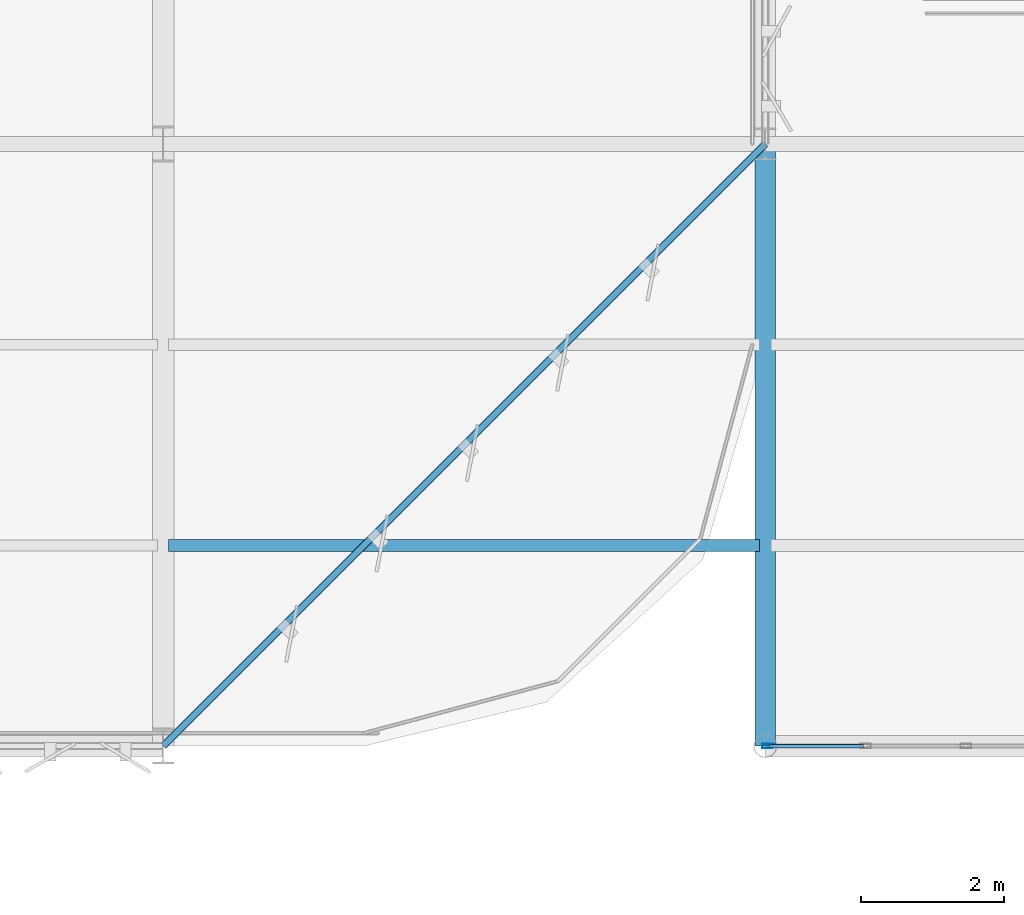
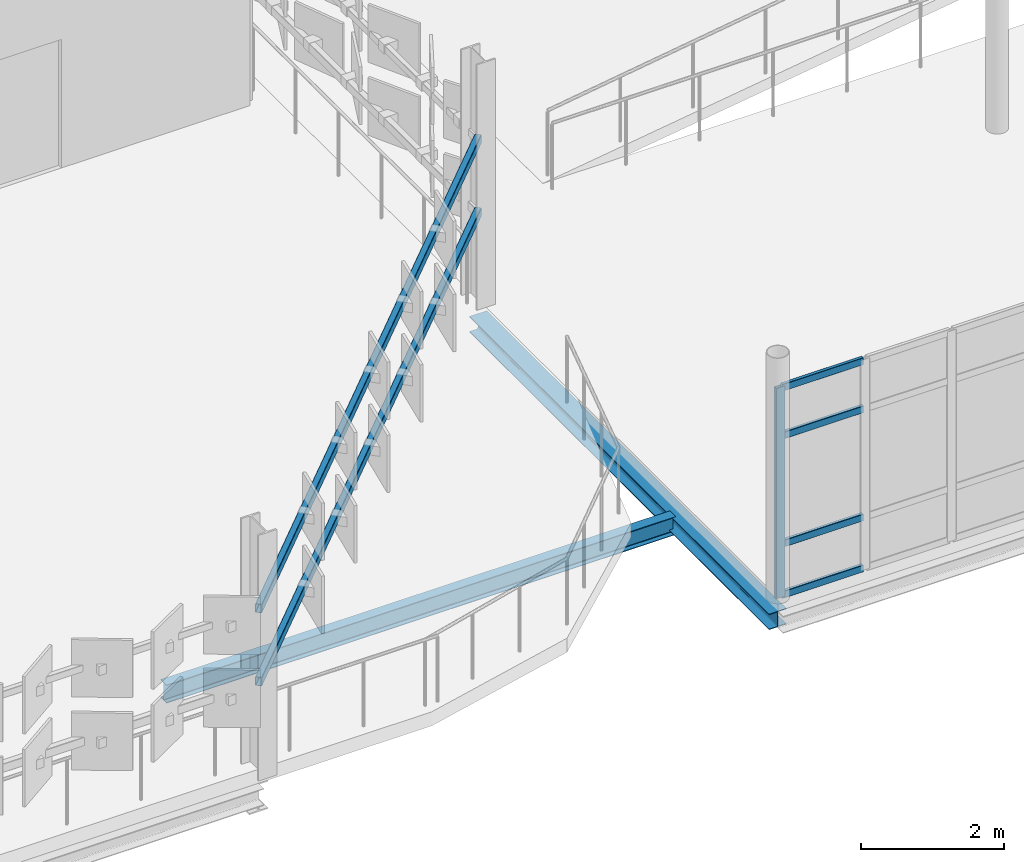
# One storey, part 30 of 69: 5 members, 4 beams, 1 element without a shape of its own.
"""IFC4 building model written with IfcOpenShell, lengths in metres."""

from ifc_helpers import new_model, si_unit, direction, frame, origin, origin_2d, place, context, subcontext, project, spatial, hollow_rectangle, i_section, extrude, material, layer, layer_set, material_profile, profile_set, type_object, element, aggregate, save


model = new_model("IFC4")

# Units and contexts
model_context = context("Model", 3, precision=1e-05, world=origin(), true_north=direction((0.0, 1.0)))
body_context = subcontext(model_context, "Body", "Model", "MODEL_VIEW")
ifc_project = project(units=[si_unit("LENGTHUNIT", "METRE"), si_unit("AREAUNIT", "SQUARE_METRE"), si_unit("VOLUMEUNIT", "CUBIC_METRE"), si_unit("PLANEANGLEUNIT", "RADIAN"), si_unit("MASSUNIT", "GRAM", prefix="KILO")], contexts=[model_context])

# Site, building, storey
site_placement = place(None, origin())
site = spatial("IfcSite", under=ifc_project, at=site_placement, CompositionType="ELEMENT")
building_placement = place(site_placement, origin())
building = spatial("IfcBuilding", under=site, at=building_placement, Name="Qalvenar Corner Mobility Hub", CompositionType="ELEMENT")
storey_placement = place(building_placement, frame((0.0, 0.0, 13.199951171875)))
storey = spatial("IfcBuildingStorey", under=building, at=storey_placement, Name="L03", CompositionType="ELEMENT", Elevation=13.199951171875)

# Beams
ifc_material_1 = material(Name="Steel S355", Category="steel")
ifc_material_profile_1 = material_profile(ifc_material_1, i_section(OverallWidth=0.1650390625, OverallDepth=0.31005859375, WebThickness=0.005859375, FlangeThickness=0.009765625, FilletRadius=0.011962890625, at=origin_2d()), Name="W310x38.7")
ifc_profile_set_1 = profile_set([ifc_material_profile_1], Name="Steel S355")
beam_type_1 = type_object("IfcBeamType", Name="BM-JST310", PredefinedType="JOIST", material=ifc_profile_set_1)
beam_1_placement = place(storey_placement, frame((134.47802734375, 70.0, -0.39501953125), z_axis=(1.0, 0.0, 0.0), x_axis=(0.0, 1.0, 0.0)))
element("IfcBeam", 1, at=beam_1_placement, inside=storey, type_object=beam_type_1, Name="Composite Floor Joist J-2567", PredefinedType="JOIST", context=body_context, shape_type="SweptSolid", body=[
    extrude(i_section(OverallWidth=0.1650390625, OverallDepth=0.31005859375, WebThickness=0.005859375, FlangeThickness=0.009765625, FilletRadius=0.011962890625, at=origin_2d()), origin(), (0.0, 0.0, 1.0), 8.243896484375),
])
ifc_material_profile_2 = material_profile(ifc_material_1, i_section(OverallWidth=0.280029296875, OverallDepth=0.27001953125, WebThickness=0.008056640625, FlangeThickness=0.012939453125, FilletRadius=0.02392578125, at=origin_2d()), Name="HEA280")
ifc_profile_set_2 = profile_set([ifc_material_profile_2], Name="Steel S355")
beam_type_2 = type_object("IfcBeamType", Name="BM-SPN280", PredefinedType="SPANDREL", material=ifc_profile_set_2)
beam_2_placement = place(storey_placement, frame((142.800048828125, 67.199951171875, -0.375), z_axis=(0.0, 1.0, 0.0), x_axis=(-1.0, 0.0, 0.0)))
element("IfcBeam", 2, at=beam_2_placement, inside=storey, type_object=beam_type_2, Name="Primary Steel Girder GY-2551", PredefinedType="SPANDREL", context=body_context, shape_type="SweptSolid", body=[
    extrude(i_section(OverallWidth=0.280029296875, OverallDepth=0.27001953125, WebThickness=0.008056640625, FlangeThickness=0.012939453125, FilletRadius=0.02392578125, at=origin_2d()), origin(), (0.0, 0.0, 1.0), 8.400146484375),
])

# Curtain wall, members
ifc_material_2 = material(Name="Anodised Aluminium and Low-E Glazing", Category="aluminium")
ifc_layer = layer(ifc_material_2, 0.1201171875)
ifc_layer_set = layer_set([ifc_layer], Name="Anodised Aluminium and Low-E Glazing")
curtain_wall_type = type_object("IfcCurtainWallType", Name="CW-STR-42X40", PredefinedType="NOTDEFINED", material=ifc_layer_set)
curtain_wall_placement = place(storey_placement, origin())
curtain_wall = element("IfcCurtainWall", 3, at=curtain_wall_placement, inside=storey, type_object=curtain_wall_type, Name="Glazed Curtain Wall CW-V2-L03-S0", PredefinedType="NOTDEFINED")
ifc_material_3 = material(Name="Anodised Aluminium 6063-T6", Category="aluminium")
ifc_material_profile_3 = material_profile(ifc_material_3, hollow_rectangle(XDim=0.06005859375, YDim=0.14990234375, WallThickness=0.00390625, InnerFilletRadius=0.00390625, OuterFilletRadius=0.008056640625, at=origin_2d()), Name="RHS150x60x4")
ifc_profile_set_3 = profile_set([ifc_material_profile_3], Name="Anodised Aluminium 6063-T6")
member_type_1 = type_object("IfcMemberType", Name="CW-MUL150", PredefinedType="MULLION", material=ifc_profile_set_3)
member_1_placement = place(storey_placement, frame((142.830078125, 67.199951171875, 0.0), z_axis=(0.0, 0.0, 1.0), x_axis=(0.0, 1.0, 0.0)))
member_1 = element("IfcMember", 4, at=member_1_placement, type_object=member_type_1, Name="CW-10 mullion 1", PredefinedType="MULLION", context=body_context, shape_type="SweptSolid", body=[
    extrude(hollow_rectangle(XDim=0.06005859375, YDim=0.14990234375, WallThickness=0.00390625, InnerFilletRadius=0.00390625, OuterFilletRadius=0.008056640625, at=origin_2d()), origin(), (0.0, 0.0, 1.0), 3.60009765625),
])
ifc_material_profile_4 = material_profile(ifc_material_3, hollow_rectangle(XDim=0.054931640625, YDim=0.1201171875, WallThickness=0.00341796875, InnerFilletRadius=0.00341796875, OuterFilletRadius=0.007080078125, at=origin_2d()), Name="RHS120x55x3.5")
ifc_profile_set_4 = profile_set([ifc_material_profile_4], Name="Anodised Aluminium 6063-T6")
member_type_2 = type_object("IfcMemberType", Name="CW-TRN120", PredefinedType="USERDEFINED", material=ifc_profile_set_4)
member_2_placement = place(storey_placement, frame((142.860107421875, 67.199951171875, 0.027587890625), z_axis=(1.0, 0.0, 0.0), x_axis=(0.0, 1.0, 0.0)))
member_2 = element("IfcMember", 5, at=member_2_placement, type_object=member_type_2, Name="CW-10 transom 1.1", ObjectType="TRANSOM", PredefinedType="USERDEFINED", context=body_context, shape_type="SweptSolid", body=[
    extrude(hollow_rectangle(XDim=0.054931640625, YDim=0.1201171875, WallThickness=0.00341796875, InnerFilletRadius=0.00341796875, OuterFilletRadius=0.007080078125, at=origin_2d()), origin(), (0.0, 0.0, 1.0), 1.309814453125),
])
member_3_placement = place(storey_placement, frame((142.860107421875, 67.199951171875, 0.900146484375), z_axis=(1.0, 0.0, 0.0), x_axis=(0.0, 1.0, 0.0)))
member_3 = element("IfcMember", 6, at=member_3_placement, type_object=member_type_2, Name="CW-10 transom 1.2", ObjectType="TRANSOM", PredefinedType="USERDEFINED", context=body_context, shape_type="SweptSolid", body=[
    extrude(hollow_rectangle(XDim=0.054931640625, YDim=0.1201171875, WallThickness=0.00341796875, InnerFilletRadius=0.00341796875, OuterFilletRadius=0.007080078125, at=origin_2d()), origin(), (0.0, 0.0, 1.0), 1.309814453125),
])
member_4_placement = place(storey_placement, frame((142.860107421875, 67.199951171875, 2.75), z_axis=(1.0, 0.0, 0.0), x_axis=(0.0, 1.0, 0.0)))
member_4 = element("IfcMember", 7, at=member_4_placement, type_object=member_type_2, Name="CW-10 transom 1.3", ObjectType="TRANSOM", PredefinedType="USERDEFINED", context=body_context, shape_type="SweptSolid", body=[
    extrude(hollow_rectangle(XDim=0.054931640625, YDim=0.1201171875, WallThickness=0.00341796875, InnerFilletRadius=0.00341796875, OuterFilletRadius=0.007080078125, at=origin_2d()), origin(), (0.0, 0.0, 1.0), 1.309814453125),
])
member_5_placement = place(storey_placement, frame((142.860107421875, 67.199951171875, 3.572509765625), z_axis=(1.0, 0.0, 0.0), x_axis=(0.0, 1.0, 0.0)))
member_5 = element("IfcMember", 8, at=member_5_placement, type_object=member_type_2, Name="CW-10 transom 1.4", ObjectType="TRANSOM", PredefinedType="USERDEFINED", context=body_context, shape_type="SweptSolid", body=[
    extrude(hollow_rectangle(XDim=0.054931640625, YDim=0.1201171875, WallThickness=0.00341796875, InnerFilletRadius=0.00341796875, OuterFilletRadius=0.007080078125, at=origin_2d()), origin(), (0.0, 0.0, 1.0), 1.309814453125),
])
aggregate(curtain_wall, [member_1, member_2, member_3, member_4, member_5])

# Beams
ifc_material_profile_5 = material_profile(ifc_material_1, hollow_rectangle(XDim=0.10009765625, YDim=0.14990234375, WallThickness=0.00634765625, InnerFilletRadius=0.00634765625, OuterFilletRadius=0.0126953125, at=origin_2d()), Name="RHS150x100x6.3")
ifc_profile_set_5 = profile_set([ifc_material_profile_5], Name="Steel S355")
beam_type_3 = type_object("IfcBeamType", Name="FR-RAIL150", PredefinedType="SPANDREL", material=ifc_profile_set_5)
for number, where, z_axis, x_axis, name in (
    (9, (134.39990234375, 67.199951171875, 1.5), (0.707106781187, 0.707106781187, 0.0), (-0.707106781187, 0.707106781187, 0.0), "Corner Facade Rail FRC-L03-0139"),
    (10, (134.39990234375, 67.199951171875, 2.75), (0.707106781187, 0.707106781187, 0.0), (-0.707106781187, 0.707106781187, 0.0), "Corner Facade Rail FRC-L03-0140"),
):
    element("IfcBeam", number, at=place(storey_placement, frame(where, z_axis=z_axis, x_axis=x_axis)), inside=storey, type_object=beam_type_3, Name=name, PredefinedType="SPANDREL", context=body_context, shape_type="SweptSolid", body=[
        extrude(hollow_rectangle(XDim=0.10009765625, YDim=0.14990234375, WallThickness=0.00634765625, InnerFilletRadius=0.00634765625, OuterFilletRadius=0.0126953125, at=origin_2d()), origin(), (0.0, 0.0, 1.0), 11.879638671875),
    ])

save(model, "model.ifc")
